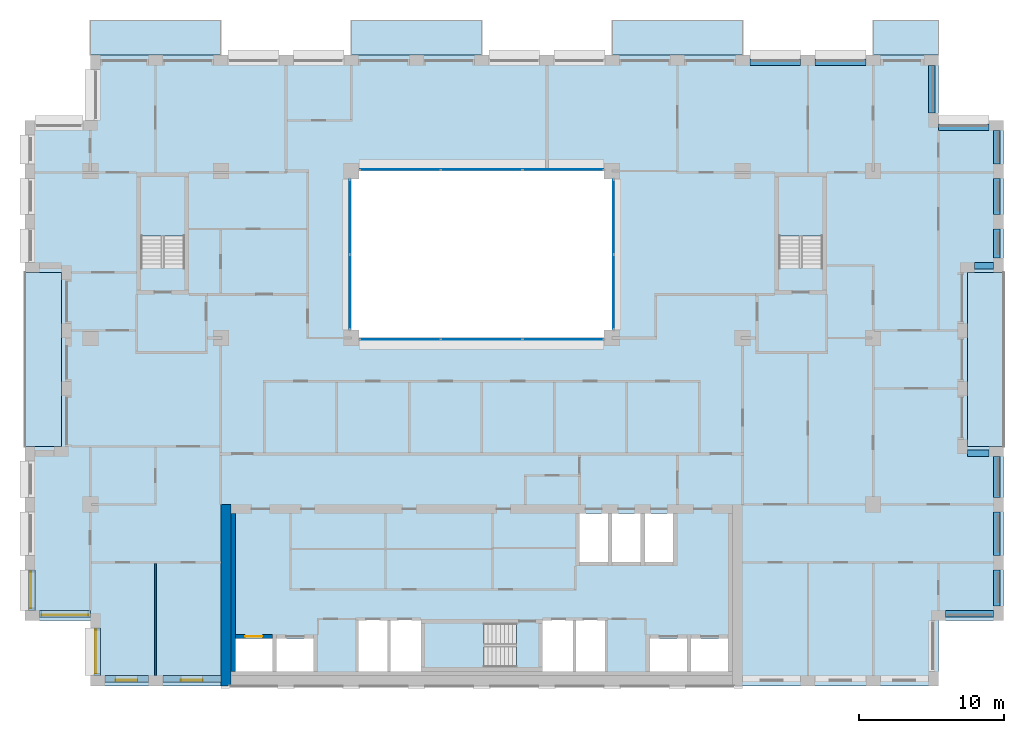
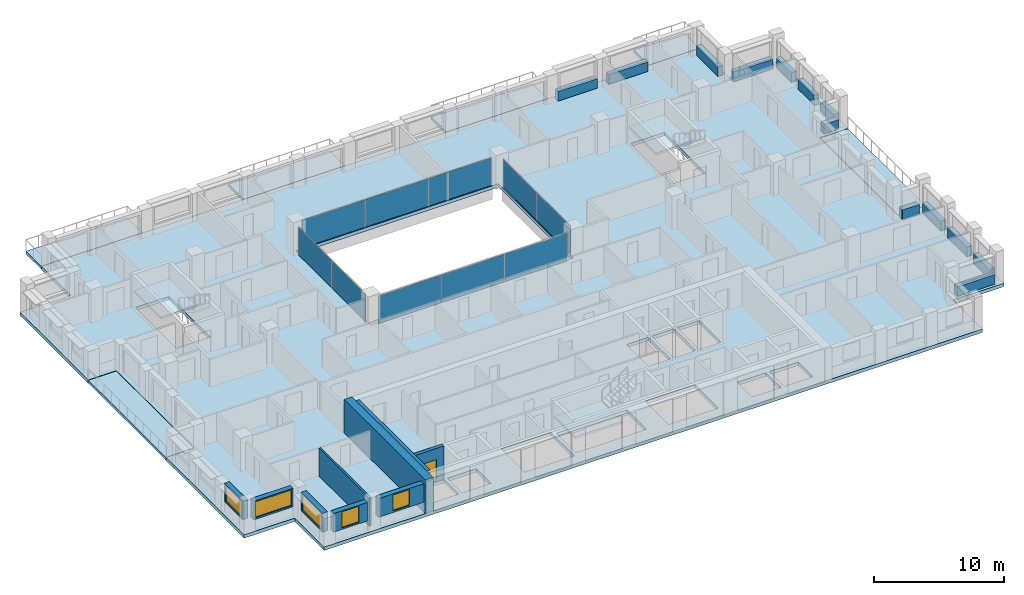
# One storey, part 7 of 16: 13 beams, 10 plates, 10 slabs, 9 walls, 5 windows, 1 door, 6 openings, 7 elements without a shape of their own.
"""IFC4 building model written with IfcOpenShell, lengths in metres."""

from ifc_helpers import new_model, si_unit, direction, frame, frame_2d, origin, origin_2d, place, context, subcontext, project, spatial, polyline, rectangle, outline, extrude, material, layer, layer_set, material_profile, profile_set, type_object, element, fill, aggregate, save


model = new_model("IFC4")

# Units and contexts
model_context = context("Model", 3, precision=1e-05, world=origin(), true_north=direction((0.0, 1.0)))
body_context = subcontext(model_context, "Body", "Model", "MODEL_VIEW")
ifc_project = project(units=[si_unit("LENGTHUNIT", "METRE"), si_unit("AREAUNIT", "SQUARE_METRE"), si_unit("VOLUMEUNIT", "CUBIC_METRE"), si_unit("PLANEANGLEUNIT", "RADIAN"), si_unit("MASSUNIT", "GRAM", prefix="KILO")], contexts=[model_context])

# Site, building, storey
site_placement = place(None, origin())
site = spatial("IfcSite", under=ifc_project, at=site_placement, CompositionType="ELEMENT")
building_placement = place(site_placement, origin())
building = spatial("IfcBuilding", under=site, at=building_placement, Name="Brigalow Station Residences", CompositionType="ELEMENT")
storey_placement = place(building_placement, frame((0.0, 0.0, 182.25)))
storey = spatial("IfcBuildingStorey", under=building, at=storey_placement, Name="L53", CompositionType="ELEMENT", Elevation=182.25)

# Beams
ifc_material_1 = material(Name="Concrete C50", Category="concrete")
ifc_material_profile = material_profile(ifc_material_1, rectangle(XDim=0.449951171875, YDim=0.89990234375, at=origin_2d()), Name="RC450x900")
ifc_profile_set = profile_set([ifc_material_profile], Name="Concrete C50")
beam_type = type_object("IfcBeamType", Name="SPANDREL BEAM 450x900 C50", PredefinedType="SPANDREL", material=ifc_profile_set)
beam_1_placement = place(storey_placement, frame((68.0, 4.97509765625, 0.449951171875), z_axis=(1.0, 0.0, 0.0), x_axis=(0.0, 1.0, 0.0)))
element("IfcBeam", 1, at=beam_1_placement, inside=storey, type_object=beam_type, Name="L53/spandrel/W-L53-8", PredefinedType="SPANDREL", context=body_context, shape_type="SweptSolid", body=[
    extrude(rectangle(XDim=0.449951171875, YDim=0.89990234375, at=origin_2d()), origin(), (0.0, 0.0, 1.0), 3.300048828125),
])
beam_2_placement = place(storey_placement, frame((71.52490234375, 5.5, 0.449951171875), z_axis=(0.0, 1.0, 0.0), x_axis=(-1.0, 0.0, 0.0)))
element("IfcBeam", 2, at=beam_2_placement, inside=storey, type_object=beam_type, Name="L53/spandrel/W-L53-9", PredefinedType="SPANDREL", context=body_context, shape_type="SweptSolid", body=[
    extrude(rectangle(XDim=0.449951171875, YDim=0.89990234375, at=origin_2d()), origin(), (0.0, 0.0, 1.0), 2.5),
])
beam_3_placement = place(storey_placement, frame((71.52490234375, 9.0, 0.449951171875), z_axis=(0.0, 1.0, 0.0), x_axis=(-1.0, 0.0, 0.0)))
element("IfcBeam", 3, at=beam_3_placement, inside=storey, type_object=beam_type, Name="L53/spandrel/W-L53-10", PredefinedType="SPANDREL", context=body_context, shape_type="SweptSolid", body=[
    extrude(rectangle(XDim=0.449951171875, YDim=0.89990234375, at=origin_2d()), origin(), (0.0, 0.0, 1.0), 3.0),
])
beam_4_placement = place(storey_placement, frame((71.52490234375, 13.0, 0.449951171875), z_axis=(0.0, 1.0, 0.0), x_axis=(-1.0, 0.0, 0.0)))
element("IfcBeam", 4, at=beam_4_placement, inside=storey, type_object=beam_type, Name="L53/spandrel/W-L53-11", PredefinedType="SPANDREL", context=body_context, shape_type="SweptSolid", body=[
    extrude(rectangle(XDim=0.449951171875, YDim=0.89990234375, at=origin_2d()), origin(), (0.0, 0.0, 1.0), 2.800048828125),
])
beam_5_placement = place(storey_placement, frame((71.0, 16.02490234375, 0.449951171875), z_axis=(-1.0, 0.0, 0.0), x_axis=(0.0, -1.0, 0.0)))
element("IfcBeam", 5, at=beam_5_placement, inside=storey, type_object=beam_type, Name="L53/spandrel/W-L53-12", PredefinedType="SPANDREL", context=body_context, shape_type="SweptSolid", body=[
    extrude(rectangle(XDim=0.449951171875, YDim=0.89990234375, at=origin_2d()), origin(), (0.0, 0.0, 1.0), 1.5),
])
beam_6_placement = place(storey_placement, frame((70.0, 28.97509765625, 0.449951171875), z_axis=(1.0, 0.0, 0.0), x_axis=(0.0, 1.0, 0.0)))
element("IfcBeam", 6, at=beam_6_placement, inside=storey, type_object=beam_type, Name="L53/spandrel/W-L53-16", PredefinedType="SPANDREL", context=body_context, shape_type="SweptSolid", body=[
    extrude(rectangle(XDim=0.449951171875, YDim=0.89990234375, at=origin_2d()), origin(), (0.0, 0.0, 1.0), 1.300048828125),
])
beam_7_placement = place(storey_placement, frame((71.52490234375, 29.5, 0.449951171875), z_axis=(0.0, 1.0, 0.0), x_axis=(-1.0, 0.0, 0.0)))
element("IfcBeam", 7, at=beam_7_placement, inside=storey, type_object=beam_type, Name="L53/spandrel/W-L53-17", PredefinedType="SPANDREL", context=body_context, shape_type="SweptSolid", body=[
    extrude(rectangle(XDim=0.449951171875, YDim=0.89990234375, at=origin_2d()), origin(), (0.0, 0.0, 1.0), 2.0),
])
beam_8_placement = place(storey_placement, frame((71.52490234375, 32.5, 0.449951171875), z_axis=(0.0, 1.0, 0.0), x_axis=(-1.0, 0.0, 0.0)))
element("IfcBeam", 8, at=beam_8_placement, inside=storey, type_object=beam_type, Name="L53/spandrel/W-L53-18", PredefinedType="SPANDREL", context=body_context, shape_type="SweptSolid", body=[
    extrude(rectangle(XDim=0.449951171875, YDim=0.89990234375, at=origin_2d()), origin(), (0.0, 0.0, 1.0), 2.5),
])
beam_9_placement = place(storey_placement, frame((71.52490234375, 36.0, 0.449951171875), z_axis=(0.0, 1.0, 0.0), x_axis=(-1.0, 0.0, 0.0)))
element("IfcBeam", 9, at=beam_9_placement, inside=storey, type_object=beam_type, Name="L53/spandrel/W-L53-19", PredefinedType="SPANDREL", context=body_context, shape_type="SweptSolid", body=[
    extrude(rectangle(XDim=0.449951171875, YDim=0.89990234375, at=origin_2d()), origin(), (0.0, 0.0, 1.0), 2.300048828125),
])
beam_10_placement = place(storey_placement, frame((71.0, 38.52490234375, 0.449951171875), z_axis=(-1.0, 0.0, 0.0), x_axis=(0.0, -1.0, 0.0)))
element("IfcBeam", 10, at=beam_10_placement, inside=storey, type_object=beam_type, Name="L53/spandrel/W-L53-20", PredefinedType="SPANDREL", context=body_context, shape_type="SweptSolid", body=[
    extrude(rectangle(XDim=0.449951171875, YDim=0.89990234375, at=origin_2d()), origin(), (0.0, 0.0, 1.0), 3.5),
])
beam_11_placement = place(storey_placement, frame((67.02490234375, 39.5, 0.449951171875), z_axis=(0.0, 1.0, 0.0), x_axis=(-1.0, 0.0, 0.0)))
element("IfcBeam", 11, at=beam_11_placement, inside=storey, type_object=beam_type, Name="L53/spandrel/W-L53-21", PredefinedType="SPANDREL", context=body_context, shape_type="SweptSolid", body=[
    extrude(rectangle(XDim=0.449951171875, YDim=0.89990234375, at=origin_2d()), origin(), (0.0, 0.0, 1.0), 3.300048828125),
])
for number, where, z_axis, x_axis, name in (
    (12, (62.5, 43.02490234375, 0.449951171875), (-1.0, 0.0, 0.0), (0.0, -1.0, 0.0), "L53/spandrel/W-L53-23"),
    (13, (58.0, 43.02490234375, 0.449951171875), (-1.0, 0.0, 0.0), (0.0, -1.0, 0.0), "L53/spandrel/W-L53-24"),
):
    element("IfcBeam", number, at=place(storey_placement, frame(where, z_axis=z_axis, x_axis=x_axis)), inside=storey, type_object=beam_type, Name=name, PredefinedType="SPANDREL", context=body_context, shape_type="SweptSolid", body=[
        extrude(rectangle(XDim=0.449951171875, YDim=0.89990234375, at=origin_2d()), origin(), (0.0, 0.0, 1.0), 3.5),
    ])

# Curtain wall, plates
ifc_material_2 = material(Name="Aluminium", Category="aluminium")
ifc_layer_1 = layer(ifc_material_2, 0.14990234375)
ifc_layer_set_1 = layer_set([ifc_layer_1], Name="ATRIUM FIRE-RATED GLAZING CURTAIN WALL")
curtain_wall_type = type_object("IfcCurtainWallType", Name="ATRIUM FIRE-RATED GLAZING CURTAIN WALL", PredefinedType="NOTDEFINED", material=ifc_layer_set_1)
curtain_wall_1_placement = place(storey_placement, origin())
curtain_wall_1 = element("IfcCurtainWall", 14, at=curtain_wall_1_placement, inside=storey, type_object=curtain_wall_type, Name="L53/cw/atrium-S", PredefinedType="NOTDEFINED")
ifc_material_3 = material(Name="Fire-resisting laminated glazing, FRL -/60/-", Category="glass")
ifc_layer_2 = layer(ifc_material_3, 0.031982421875)
ifc_layer_set_2 = layer_set([ifc_layer_2], Name="ATRIUM FIRE-RATED GLAZING PANEL 32")
plate_type = type_object("IfcPlateType", Name="ATRIUM FIRE-RATED GLAZING PANEL 32", PredefinedType="CURTAIN_PANEL", material=ifc_layer_set_2)
plate_1_placement = place(storey_placement, frame((30.381591796875, 23.89990234375, 0.0), z_axis=(0.0, 0.0, 1.0), x_axis=(1.0, 0.0, 0.0)))
plate_1 = element("IfcPlate", 15, at=plate_1_placement, type_object=plate_type, Name="L53/cw/atrium-S/P00-00", PredefinedType="CURTAIN_PANEL", context=body_context, shape_type="SweptSolid", body=[
    extrude(rectangle(XDim=5.543212890625, YDim=0.031982421875, at=origin_2d()), origin(), (0.0, 0.0, 1.0), 2.590087890625),
])
plate_2_placement = place(storey_placement, frame((36.0, 23.89990234375, 0.0), z_axis=(0.0, 0.0, 1.0), x_axis=(1.0, 0.0, 0.0)))
plate_2 = element("IfcPlate", 16, at=plate_2_placement, type_object=plate_type, Name="L53/cw/atrium-S/P01-00", PredefinedType="CURTAIN_PANEL", context=body_context, shape_type="SweptSolid", body=[
    extrude(rectangle(XDim=5.5732421875, YDim=0.031982421875, at=origin_2d()), origin(), (0.0, 0.0, 1.0), 2.590087890625),
])
plate_3_placement = place(storey_placement, frame((41.618408203125, 23.89990234375, 0.0), z_axis=(0.0, 0.0, 1.0), x_axis=(1.0, 0.0, 0.0)))
plate_3 = element("IfcPlate", 17, at=plate_3_placement, type_object=plate_type, Name="L53/cw/atrium-S/P02-00", PredefinedType="CURTAIN_PANEL", context=body_context, shape_type="SweptSolid", body=[
    extrude(rectangle(XDim=5.543212890625, YDim=0.031982421875, at=origin_2d()), origin(), (0.0, 0.0, 1.0), 2.590087890625),
])
aggregate(curtain_wall_1, [plate_1, plate_2, plate_3])

curtain_wall_2_placement = place(storey_placement, origin())
curtain_wall_2 = element("IfcCurtainWall", 18, at=curtain_wall_2_placement, inside=storey, type_object=curtain_wall_type, Name="L53/cw/atrium-E", PredefinedType="NOTDEFINED")
plate_4_placement = place(storey_placement, frame((45.10009765625, 27.1650390625, 0.0), z_axis=(0.0, 0.0, 1.0), x_axis=(0.0, 1.0, 0.0)))
plate_4 = element("IfcPlate", 19, at=plate_4_placement, type_object=plate_type, Name="L53/cw/atrium-E/P00-00", PredefinedType="CURTAIN_PANEL", context=body_context, shape_type="SweptSolid", body=[
    extrude(rectangle(XDim=5.110107421875, YDim=0.031982421875, at=origin_2d()), origin(), (0.0, 0.0, 1.0), 2.590087890625),
])
plate_5_placement = place(storey_placement, frame((45.10009765625, 32.3349609375, 0.0), z_axis=(0.0, 0.0, 1.0), x_axis=(0.0, 1.0, 0.0)))
plate_5 = element("IfcPlate", 20, at=plate_5_placement, type_object=plate_type, Name="L53/cw/atrium-E/P01-00", PredefinedType="CURTAIN_PANEL", context=body_context, shape_type="SweptSolid", body=[
    extrude(rectangle(XDim=5.110107421875, YDim=0.031982421875, at=origin_2d()), origin(), (0.0, 0.0, 1.0), 2.590087890625),
])
aggregate(curtain_wall_2, [plate_4, plate_5])

curtain_wall_3_placement = place(storey_placement, origin())
curtain_wall_3 = element("IfcCurtainWall", 21, at=curtain_wall_3_placement, inside=storey, type_object=curtain_wall_type, Name="L53/cw/atrium-N", PredefinedType="NOTDEFINED")
plate_6_placement = place(storey_placement, frame((41.618408203125, 35.60009765625, 0.0), z_axis=(0.0, 0.0, 1.0), x_axis=(-1.0, 0.0, 0.0)))
plate_6 = element("IfcPlate", 22, at=plate_6_placement, type_object=plate_type, Name="L53/cw/atrium-N/P00-00", PredefinedType="CURTAIN_PANEL", context=body_context, shape_type="SweptSolid", body=[
    extrude(rectangle(XDim=5.543212890625, YDim=0.031982421875, at=origin_2d()), origin(), (0.0, 0.0, 1.0), 2.590087890625),
])
plate_7_placement = place(storey_placement, frame((36.0, 35.60009765625, 0.0), z_axis=(0.0, 0.0, 1.0), x_axis=(-1.0, 0.0, 0.0)))
plate_7 = element("IfcPlate", 23, at=plate_7_placement, type_object=plate_type, Name="L53/cw/atrium-N/P01-00", PredefinedType="CURTAIN_PANEL", context=body_context, shape_type="SweptSolid", body=[
    extrude(rectangle(XDim=5.5732421875, YDim=0.031982421875, at=origin_2d()), origin(), (0.0, 0.0, 1.0), 2.590087890625),
])
plate_8_placement = place(storey_placement, frame((30.381591796875, 35.60009765625, 0.0), z_axis=(0.0, 0.0, 1.0), x_axis=(-1.0, 0.0, 0.0)))
plate_8 = element("IfcPlate", 24, at=plate_8_placement, type_object=plate_type, Name="L53/cw/atrium-N/P02-00", PredefinedType="CURTAIN_PANEL", context=body_context, shape_type="SweptSolid", body=[
    extrude(rectangle(XDim=5.543212890625, YDim=0.031982421875, at=origin_2d()), origin(), (0.0, 0.0, 1.0), 2.590087890625),
])
aggregate(curtain_wall_3, [plate_6, plate_7, plate_8])

curtain_wall_4_placement = place(storey_placement, origin())
curtain_wall_4 = element("IfcCurtainWall", 25, at=curtain_wall_4_placement, inside=storey, type_object=curtain_wall_type, Name="L53/cw/atrium-W", PredefinedType="NOTDEFINED")
plate_9_placement = place(storey_placement, frame((26.89990234375, 32.3349609375, 0.0), z_axis=(0.0, 0.0, 1.0), x_axis=(0.0, -1.0, 0.0)))
plate_9 = element("IfcPlate", 26, at=plate_9_placement, type_object=plate_type, Name="L53/cw/atrium-W/P00-00", PredefinedType="CURTAIN_PANEL", context=body_context, shape_type="SweptSolid", body=[
    extrude(rectangle(XDim=5.110107421875, YDim=0.031982421875, at=origin_2d()), origin(), (0.0, 0.0, 1.0), 2.590087890625),
])
plate_10_placement = place(storey_placement, frame((26.89990234375, 27.1650390625, 0.0), z_axis=(0.0, 0.0, 1.0), x_axis=(0.0, -1.0, 0.0)))
plate_10 = element("IfcPlate", 27, at=plate_10_placement, type_object=plate_type, Name="L53/cw/atrium-W/P01-00", PredefinedType="CURTAIN_PANEL", context=body_context, shape_type="SweptSolid", body=[
    extrude(rectangle(XDim=5.110107421875, YDim=0.031982421875, at=origin_2d()), origin(), (0.0, 0.0, 1.0), 2.590087890625),
])
aggregate(curtain_wall_4, [plate_9, plate_10])

# Slabs
ifc_material_4 = material(Name="Concrete C50 precast", Category="concrete")
ifc_layer_3 = layer(ifc_material_4, 0.25)
ifc_layer_set_3 = layer_set([ifc_layer_3], Name="BALCONY SLAB 250")
slab_type_1 = type_object("IfcSlabType", Name="BALCONY SLAB 250", PredefinedType="USERDEFINED", material=ifc_layer_set_3)
slab_1_placement = place(storey_placement, frame((0.0, 0.0, -0.2900390625)))
element("IfcSlab", 28, at=slab_1_placement, inside=storey, type_object=slab_type_1, Name="L53/balcony/1", ObjectType="BALCONY", PredefinedType="USERDEFINED", context=body_context, shape_type="SweptSolid", body=[
    extrude(outline(polyline([(69.5, 16.5), (72.0, 16.5), (72.0, 28.5), (69.5, 28.5), (69.5, 16.5)])), origin(), (0.0, 0.0, 1.0), 0.25),
])
slab_2_placement = place(storey_placement, frame((0.0, 0.0, -0.2900390625)))
element("IfcSlab", 29, at=slab_2_placement, inside=storey, type_object=slab_type_1, Name="L53/balcony/2", ObjectType="BALCONY", PredefinedType="USERDEFINED", context=body_context, shape_type="SweptSolid", body=[
    extrude(outline(polyline([(67.5, 43.5), (67.5, 45.89990234375), (63.0, 45.89990234375), (63.0, 43.5), (67.5, 43.5)])), origin(), (0.0, 0.0, 1.0), 0.25),
])
slab_3_placement = place(storey_placement, frame((0.0, 0.0, -0.2900390625)))
element("IfcSlab", 30, at=slab_3_placement, inside=storey, type_object=slab_type_1, Name="L53/balcony/3", ObjectType="BALCONY", PredefinedType="USERDEFINED", context=body_context, shape_type="SweptSolid", body=[
    extrude(outline(polyline([(54.0, 43.5), (54.0, 45.89990234375), (45.0, 45.89990234375), (45.0, 43.5), (54.0, 43.5)])), origin(), (0.0, 0.0, 1.0), 0.25),
])
slab_4_placement = place(storey_placement, frame((0.0, 0.0, -0.2900390625)))
element("IfcSlab", 31, at=slab_4_placement, inside=storey, type_object=slab_type_1, Name="L53/balcony/4", ObjectType="BALCONY", PredefinedType="USERDEFINED", context=body_context, shape_type="SweptSolid", body=[
    extrude(outline(polyline([(36.0, 43.5), (36.0, 45.89990234375), (27.0, 45.89990234375), (27.0, 43.5), (36.0, 43.5)])), origin(), (0.0, 0.0, 1.0), 0.25),
])
slab_5_placement = place(storey_placement, frame((0.0, 0.0, -0.2900390625)))
element("IfcSlab", 32, at=slab_5_placement, inside=storey, type_object=slab_type_1, Name="L53/balcony/5", ObjectType="BALCONY", PredefinedType="USERDEFINED", context=body_context, shape_type="SweptSolid", body=[
    extrude(outline(polyline([(18.0, 43.5), (18.0, 45.89990234375), (9.0, 45.89990234375), (9.0, 43.5), (18.0, 43.5)])), origin(), (0.0, 0.0, 1.0), 0.25),
])
slab_6_placement = place(storey_placement, frame((0.0, 0.0, -0.2900390625)))
element("IfcSlab", 33, at=slab_6_placement, inside=storey, type_object=slab_type_1, Name="L53/balcony/6", ObjectType="BALCONY", PredefinedType="USERDEFINED", context=body_context, shape_type="SweptSolid", body=[
    extrude(outline(polyline([(7.0, 28.5), (4.5, 28.5), (4.5, 16.5), (7.0, 16.5), (7.0, 28.5)])), origin(), (0.0, 0.0, 1.0), 0.25),
])
ifc_material_5 = material(Name="Concrete C50", Category="concrete")
ifc_layer_4 = layer(ifc_material_5, 0.320068359375)
ifc_layer_set_4 = layer_set([ifc_layer_4], Name="POST-TENSIONED FLAT PLATE 320 C50")
slab_type_2 = type_object("IfcSlabType", Name="POST-TENSIONED FLAT PLATE 320 C50", PredefinedType="FLOOR", material=ifc_layer_set_4)
slab_7_placement = place(storey_placement, frame((0.0, 0.0, -0.320068359375)))
element("IfcSlab", 34, at=slab_7_placement, inside=storey, type_object=slab_type_2, Name="FLOOR SLAB L53", PredefinedType="FLOOR", context=body_context, shape_type="SweptSolid", body=[
    extrude(outline(polyline([(9.0, 0.0), (67.5, 0.0), (67.5, 4.5), (72.0, 4.5), (72.0, 16.5), (69.5, 16.5), (69.5, 28.5), (72.0, 28.5), (72.0, 39.0), (67.5, 39.0), (67.5, 43.5), (9.0, 43.5), (9.0, 39.0), (4.5, 39.0), (4.5, 28.5), (7.0, 28.5), (7.0, 16.5), (4.5, 16.5), (4.5, 4.5), (9.0, 4.5), (9.0, 0.0)]), holes=[polyline([(12.5048828125, 35.094970703125), (15.4951171875, 35.094970703125), (15.4951171875, 28.804931640625), (12.5048828125, 28.804931640625), (12.5048828125, 35.094970703125)]), polyline([(19.0, 1.0), (19.0, 3.25), (21.550048828125, 3.25), (21.550048828125, 1.0), (19.0, 1.0)]), polyline([(21.85009765625, 3.25), (24.39990234375, 3.25), (24.39990234375, 1.0), (21.85009765625, 1.0), (21.85009765625, 3.25)]), polyline([(27.0, 35.5), (45.0, 35.5), (45.0, 24.0), (27.0, 24.0), (27.0, 35.5)]), polyline([(29.60009765625, 4.60009765625), (31.800048828125, 4.60009765625), (31.800048828125, 1.0), (29.60009765625, 1.0), (27.39990234375, 1.0), (27.39990234375, 4.60009765625), (29.60009765625, 4.60009765625)]), polyline([(32.10498046875, 4.294921875), (38.39501953125, 4.294921875), (38.39501953125, 1.304931640625), (32.10498046875, 1.304931640625), (32.10498046875, 4.294921875)]), polyline([(40.199951171875, 4.60009765625), (42.39990234375, 4.60009765625), (44.60009765625, 4.60009765625), (44.60009765625, 1.0), (42.39990234375, 1.0), (40.199951171875, 1.0), (40.199951171875, 4.60009765625)]), polyline([(42.75, 11.89990234375), (44.699951171875, 11.89990234375), (44.699951171875, 8.550048828125), (42.75, 8.550048828125), (42.75, 11.89990234375)]), polyline([(45.0, 11.89990234375), (46.949951171875, 11.89990234375), (46.949951171875, 8.550048828125), (45.0, 8.550048828125), (45.0, 11.89990234375)]), polyline([(47.25, 11.89990234375), (49.199951171875, 11.89990234375), (49.199951171875, 8.550048828125), (47.25, 8.550048828125), (47.25, 11.89990234375)]), polyline([(47.60009765625, 3.25), (50.14990234375, 3.25), (50.14990234375, 1.0), (47.60009765625, 1.0), (47.60009765625, 3.25)]), polyline([(50.449951171875, 3.25), (53.0, 3.25), (53.0, 1.0), (50.449951171875, 1.0), (50.449951171875, 3.25)]), polyline([(56.5048828125, 35.094970703125), (59.4951171875, 35.094970703125), (59.4951171875, 28.804931640625), (56.5048828125, 28.804931640625), (56.5048828125, 35.094970703125)])]), origin(), (0.0, 0.0, 1.0), 0.320068359375),
])

# Stair, slab
ifc_material_6 = material(Name="Concrete C50", Category="concrete")
stair_type = type_object("IfcStairType", Name="EXIT STAIR 1400 2 FLIGHT", PredefinedType="HALF_TURN_STAIR", material=ifc_material_6)
stair_1_placement = place(storey_placement, origin())
stair_1 = element("IfcStair", 35, at=stair_1_placement, inside=storey, type_object=stair_type, Name="EXIT STAIR S2 L53", PredefinedType="HALF_TURN_STAIR")
ifc_material_7 = material(Name="Concrete C50", Category="concrete")
ifc_layer_5 = layer(ifc_material_7, 0.199951171875)
ifc_layer_set_5 = layer_set([ifc_layer_5], Name="STAIR LANDING 200")
slab_type_3 = type_object("IfcSlabType", Name="STAIR LANDING 200", PredefinedType="LANDING", material=ifc_layer_set_5)
slab_8_placement = place(storey_placement, frame((0.0, 0.0, 1.375)))
slab_8 = element("IfcSlab", 36, at=slab_8_placement, type_object=slab_type_3, Name="ST-2 landing 1", PredefinedType="LANDING", context=body_context, shape_type="SweptSolid", body=[
    extrude(outline(polyline([(32.0, 1.199951171875), (36.159912109375, 1.199951171875), (36.159912109375, 4.39990234375), (32.0, 4.39990234375), (32.0, 1.199951171875)])), origin(), (0.0, 0.0, 1.0), 0.199951171875),
])
aggregate(stair_1, [slab_8])

stair_2_placement = place(storey_placement, origin())
stair_2 = element("IfcStair", 37, at=stair_2_placement, inside=storey, type_object=stair_type, Name="EXIT STAIR S1 L53", PredefinedType="HALF_TURN_STAIR")
slab_9_placement = place(storey_placement, frame((0.0, 0.0, 1.375)))
slab_9 = element("IfcSlab", 38, at=slab_9_placement, type_object=slab_type_3, Name="ST-1 landing 1", PredefinedType="LANDING", context=body_context, shape_type="SweptSolid", body=[
    extrude(outline(polyline([(12.39990234375, 31.0400390625), (15.60009765625, 31.0400390625), (15.60009765625, 35.199951171875), (12.39990234375, 35.199951171875), (12.39990234375, 31.0400390625)])), origin(), (0.0, 0.0, 1.0), 0.199951171875),
])
aggregate(stair_2, [slab_9])

stair_3_placement = place(storey_placement, origin())
stair_3 = element("IfcStair", 39, at=stair_3_placement, inside=storey, type_object=stair_type, Name="EXIT STAIR S3 L53", PredefinedType="HALF_TURN_STAIR")
slab_10_placement = place(storey_placement, frame((0.0, 0.0, 1.375)))
slab_10 = element("IfcSlab", 40, at=slab_10_placement, type_object=slab_type_3, Name="ST-3 landing 1", PredefinedType="LANDING", context=body_context, shape_type="SweptSolid", body=[
    extrude(outline(polyline([(56.39990234375, 31.0400390625), (59.60009765625, 31.0400390625), (59.60009765625, 35.199951171875), (56.39990234375, 35.199951171875), (56.39990234375, 31.0400390625)])), origin(), (0.0, 0.0, 1.0), 0.199951171875),
])
aggregate(stair_3, [slab_10])

# Wall, opening, window
ifc_material_8 = material(Name="Clay brick masonry", Category="masonry")
ifc_layer_6 = layer(ifc_material_8, 0.449951171875)
ifc_layer_set_6 = layer_set([ifc_layer_6], Name="BRICK INFILL WALL 450")
wall_type_1 = type_object("IfcWallType", Name="BRICK INFILL WALL 450", PredefinedType="SOLIDWALL", material=ifc_layer_set_6)
wall_1_placement = place(storey_placement, frame((10.0, 0.47509765625, 0.89990234375), z_axis=(0.0, 0.0, 1.0), x_axis=(1.0, 0.0, 0.0)))
wall_1 = element("IfcWall", 41, at=wall_1_placement, inside=storey, type_object=wall_type_1, Name="L53/ewall/W-L53-1", PredefinedType="SOLIDWALL", context=body_context, shape_type="SweptSolid", body=[
    extrude(rectangle(XDim=3.0, YDim=0.449951171875, at=frame_2d((1.5, 0.0))), origin(), (0.0, 0.0, 1.0), 1.75),
])
opening_1_placement = place(wall_1_placement, frame((0.75, 0.0, 0.14990234375)))
opening_1 = element("IfcOpeningElement", 42, at=opening_1_placement, cuts=wall_1, Name="Opening WT-1", PredefinedType="OPENING", context=body_context, shape_type="SweptSolid", body=[
    extrude(rectangle(XDim=1.5, YDim=1.5, at=frame_2d((0.75, 0.75))), frame((0.0, 0.23486328125, 0.0), z_axis=(0.0, -1.0, 0.0), x_axis=(1.0, 0.0, 0.0)), (0.0, 0.0, 1.0), 0.469970703125),
])
ifc_material_9 = material(Name="Anodised aluminium frame with double glazing", Category="aluminium")
window_type_1 = type_object("IfcWindowType", Name="WINDOW 1500x1500", PartitioningType="SINGLE_PANEL", PredefinedType="WINDOW", material=ifc_material_9)
window_1_placement = place(opening_1_placement, origin())
window_1 = element("IfcWindow", 43, at=window_1_placement, inside=storey, type_object=window_type_1, Name="L53/window/W-L53-1", OverallHeight=1.5, OverallWidth=1.5, PartitioningType="SINGLE_PANEL", PredefinedType="WINDOW", context=body_context, shape_type="SweptSolid", body=[
    extrude(rectangle(XDim=1.5, YDim=1.5, at=frame_2d((0.75, 0.75))), frame((0.0, -0.06494140625, 0.0), z_axis=(0.0, -1.0, 0.0), x_axis=(1.0, 0.0, 0.0)), (0.0, 0.0, 1.0), 0.06005859375),
])
fill(opening_1, window_1)

wall_2_placement = place(storey_placement, frame((14.0, 0.47509765625, 0.89990234375), z_axis=(0.0, 0.0, 1.0), x_axis=(1.0, 0.0, 0.0)))
wall_2 = element("IfcWall", 44, at=wall_2_placement, inside=storey, type_object=wall_type_1, Name="L53/ewall/W-L53-2", PredefinedType="SOLIDWALL", context=body_context, shape_type="SweptSolid", body=[
    extrude(rectangle(XDim=4.0, YDim=0.449951171875, at=frame_2d((2.0, 0.0))), origin(), (0.0, 0.0, 1.0), 1.75),
])
opening_2_placement = place(wall_2_placement, frame((1.25, 0.0, 0.14990234375)))
opening_2 = element("IfcOpeningElement", 45, at=opening_2_placement, cuts=wall_2, Name="Opening WT-1", PredefinedType="OPENING", context=body_context, shape_type="SweptSolid", body=[
    extrude(rectangle(XDim=1.5, YDim=1.5, at=frame_2d((0.75, 0.75))), frame((0.0, 0.23486328125, 0.0), z_axis=(0.0, -1.0, 0.0), x_axis=(1.0, 0.0, 0.0)), (0.0, 0.0, 1.0), 0.469970703125),
])
window_2_placement = place(opening_2_placement, origin())
window_2 = element("IfcWindow", 46, at=window_2_placement, inside=storey, type_object=window_type_1, Name="L53/window/W-L53-2", OverallHeight=1.5, OverallWidth=1.5, PartitioningType="SINGLE_PANEL", PredefinedType="WINDOW", context=body_context, shape_type="SweptSolid", body=[
    extrude(rectangle(XDim=1.5, YDim=1.5, at=frame_2d((0.75, 0.75))), frame((0.0, -0.06494140625, 0.0), z_axis=(0.0, -1.0, 0.0), x_axis=(1.0, 0.0, 0.0)), (0.0, 0.0, 1.0), 0.06005859375),
])
fill(opening_2, window_2)

wall_3_placement = place(storey_placement, frame((4.97509765625, 8.0, 0.89990234375), z_axis=(0.0, 0.0, 1.0), x_axis=(0.0, -1.0, 0.0)))
wall_3 = element("IfcWall", 47, at=wall_3_placement, inside=storey, type_object=wall_type_1, Name="L53/ewall/W-L53-47", PredefinedType="SOLIDWALL", context=body_context, shape_type="SweptSolid", body=[
    extrude(rectangle(XDim=2.800048828125, YDim=0.449951171875, at=frame_2d((1.39990234375, 0.0))), origin(), (0.0, 0.0, 1.0), 1.75),
])
opening_3_placement = place(wall_3_placement, frame((0.14990234375, 0.0, 0.14990234375)))
opening_3 = element("IfcOpeningElement", 48, at=opening_3_placement, cuts=wall_3, Name="Opening WT-5", PredefinedType="OPENING", context=body_context, shape_type="SweptSolid", body=[
    extrude(rectangle(XDim=2.5, YDim=1.5, at=frame_2d((1.25, 0.75))), frame((0.0, 0.23486328125, 0.0), z_axis=(0.0, -1.0, 0.0), x_axis=(1.0, 0.0, 0.0)), (0.0, 0.0, 1.0), 0.469970703125),
])
ifc_material_10 = material(Name="Anodised aluminium frame with double glazing", Category="aluminium")
window_type_2 = type_object("IfcWindowType", Name="WINDOW 2500x1500", PartitioningType="SINGLE_PANEL", PredefinedType="WINDOW", material=ifc_material_10)
window_3_placement = place(opening_3_placement, origin())
window_3 = element("IfcWindow", 49, at=window_3_placement, inside=storey, type_object=window_type_2, Name="L53/window/W-L53-47", OverallHeight=1.5, OverallWidth=2.5, PartitioningType="SINGLE_PANEL", PredefinedType="WINDOW", context=body_context, shape_type="SweptSolid", body=[
    extrude(rectangle(XDim=2.5, YDim=1.5, at=frame_2d((1.25, 0.75))), frame((0.0, -0.06494140625, 0.0), z_axis=(0.0, -1.0, 0.0), x_axis=(1.0, 0.0, 0.0)), (0.0, 0.0, 1.0), 0.06005859375),
])
fill(opening_3, window_3)

wall_4_placement = place(storey_placement, frame((5.5, 4.97509765625, 0.89990234375), z_axis=(0.0, 0.0, 1.0), x_axis=(1.0, 0.0, 0.0)))
wall_4 = element("IfcWall", 50, at=wall_4_placement, inside=storey, type_object=wall_type_1, Name="L53/ewall/W-L53-48", PredefinedType="SOLIDWALL", context=body_context, shape_type="SweptSolid", body=[
    extrude(rectangle(XDim=3.5, YDim=0.449951171875, at=frame_2d((1.75, 0.0))), origin(), (0.0, 0.0, 1.0), 1.75),
])
opening_4_placement = place(wall_4_placement, frame((0.14990234375, 0.0, 0.14990234375)))
opening_4 = element("IfcOpeningElement", 51, at=opening_4_placement, cuts=wall_4, Name="Opening WT-9", PredefinedType="OPENING", context=body_context, shape_type="SweptSolid", body=[
    extrude(rectangle(XDim=3.199951171875, YDim=1.5, at=frame_2d((1.60009765625, 0.75))), frame((0.0, 0.23486328125, 0.0), z_axis=(0.0, -1.0, 0.0), x_axis=(1.0, 0.0, 0.0)), (0.0, 0.0, 1.0), 0.469970703125),
])
ifc_material_11 = material(Name="Anodised aluminium frame with double glazing", Category="aluminium")
window_type_3 = type_object("IfcWindowType", Name="WINDOW 3200x1500", PartitioningType="SINGLE_PANEL", PredefinedType="WINDOW", material=ifc_material_11)
window_4_placement = place(opening_4_placement, origin())
window_4 = element("IfcWindow", 52, at=window_4_placement, inside=storey, type_object=window_type_3, Name="L53/window/W-L53-48", OverallHeight=1.5, OverallWidth=3.199951171875, PartitioningType="SINGLE_PANEL", PredefinedType="WINDOW", context=body_context, shape_type="SweptSolid", body=[
    extrude(rectangle(XDim=3.199951171875, YDim=1.5, at=frame_2d((1.60009765625, 0.75))), frame((0.0, -0.06494140625, 0.0), z_axis=(0.0, -1.0, 0.0), x_axis=(1.0, 0.0, 0.0)), (0.0, 0.0, 1.0), 0.06005859375),
])
fill(opening_4, window_4)

wall_5_placement = place(storey_placement, frame((9.47509765625, 4.0, 0.89990234375), z_axis=(0.0, 0.0, 1.0), x_axis=(0.0, -1.0, 0.0)))
wall_5 = element("IfcWall", 53, at=wall_5_placement, inside=storey, type_object=wall_type_1, Name="L53/ewall/W-L53-49", PredefinedType="SOLIDWALL", context=body_context, shape_type="SweptSolid", body=[
    extrude(rectangle(XDim=3.300048828125, YDim=0.449951171875, at=frame_2d((1.64990234375, 0.0))), origin(), (0.0, 0.0, 1.0), 1.75),
])
opening_5_placement = place(wall_5_placement, frame((0.14990234375, 0.0, 0.14990234375)))
opening_5 = element("IfcOpeningElement", 54, at=opening_5_placement, cuts=wall_5, Name="Opening WT-2", PredefinedType="OPENING", context=body_context, shape_type="SweptSolid", body=[
    extrude(rectangle(XDim=3.0, YDim=1.5, at=frame_2d((1.5, 0.75))), frame((0.0, 0.23486328125, 0.0), z_axis=(0.0, -1.0, 0.0), x_axis=(1.0, 0.0, 0.0)), (0.0, 0.0, 1.0), 0.469970703125),
])
ifc_material_12 = material(Name="Anodised aluminium frame with double glazing", Category="aluminium")
window_type_4 = type_object("IfcWindowType", Name="WINDOW 3000x1500", PartitioningType="SINGLE_PANEL", PredefinedType="WINDOW", material=ifc_material_12)
window_5_placement = place(opening_5_placement, origin())
window_5 = element("IfcWindow", 55, at=window_5_placement, inside=storey, type_object=window_type_4, Name="L53/window/W-L53-49", OverallHeight=1.5, OverallWidth=3.0, PartitioningType="SINGLE_PANEL", PredefinedType="WINDOW", context=body_context, shape_type="SweptSolid", body=[
    extrude(rectangle(XDim=3.0, YDim=1.5, at=frame_2d((1.5, 0.75))), frame((0.0, -0.06494140625, 0.0), z_axis=(0.0, -1.0, 0.0), x_axis=(1.0, 0.0, 0.0)), (0.0, 0.0, 1.0), 0.06005859375),
])
fill(opening_5, window_5)

# Wall
ifc_material_13 = material(Name="Concrete C65", Category="concrete")
ifc_layer_7 = layer(ifc_material_13, 0.300048828125)
ifc_layer_set_7 = layer_set([ifc_layer_7], Name="CORE SHEAR WALL 300 C65")
wall_type_2 = type_object("IfcWallType", Name="CORE SHEAR WALL 300 C65", PredefinedType="SHEAR", material=ifc_layer_set_7)
wall_6_placement = place(storey_placement, frame((18.85009765625, 1.0, 0.0), z_axis=(0.0, 0.0, 1.0), x_axis=(0.0, 1.0, 0.0)))
element("IfcWall", 56, at=wall_6_placement, inside=storey, type_object=wall_type_2, Name="CORE WALL LIN-W L53", PredefinedType="SHEAR", context=body_context, shape_type="SweptSolid", body=[
    extrude(rectangle(XDim=10.89990234375, YDim=0.300048828125, at=frame_2d((5.449951171875, 0.0))), origin(), (0.0, 0.0, 1.0), 3.14990234375),
])

# Wall, opening, door
wall_7_placement = place(storey_placement, frame((19.0, 3.39990234375, 0.0), z_axis=(0.0, 0.0, 1.0), x_axis=(1.0, 0.0, 0.0)))
wall_7 = element("IfcWall", 57, at=wall_7_placement, inside=storey, type_object=wall_type_2, Name="CORE WALL SH-C1-N L53", PredefinedType="SHEAR", context=body_context, shape_type="SweptSolid", body=[
    extrude(rectangle(XDim=2.550048828125, YDim=0.300048828125, at=frame_2d((1.27490234375, 0.0))), origin(), (0.0, 0.0, 1.0), 3.14990234375),
])
opening_6_placement = place(wall_7_placement, frame((0.675048828125, 0.0, 0.0)))
opening_6 = element("IfcOpeningElement", 58, at=opening_6_placement, cuts=wall_7, Name="Opening LD-LB1", PredefinedType="OPENING", context=body_context, shape_type="SweptSolid", body=[
    extrude(rectangle(XDim=1.199951171875, YDim=2.10009765625, at=frame_2d((0.60009765625, 1.050048828125))), frame((0.0, 0.16015625, 0.0), z_axis=(0.0, -1.0, 0.0), x_axis=(1.0, 0.0, 0.0)), (0.0, 0.0, 1.0), 0.320068359375),
])
ifc_material_14 = material(Name="Stainless steel sliding door leaves", Category="steel")
door_type = type_object("IfcDoorType", Name="LIFT LANDING DOOR 1200 x 2100", OperationType="DOUBLE_DOOR_SLIDING", PredefinedType="DOOR", material=ifc_material_14)
door_placement = place(opening_6_placement, origin())
door = element("IfcDoor", 59, at=door_placement, inside=storey, type_object=door_type, Name="LANDING DOOR LB1", OperationType="DOUBLE_DOOR_SLIDING", OverallHeight=2.10009765625, OverallWidth=1.199951171875, PredefinedType="DOOR", context=body_context, shape_type="SweptSolid", body=[
    extrude(rectangle(XDim=1.199951171875, YDim=2.10009765625, at=frame_2d((0.60009765625, 1.050048828125))), frame((0.0, 0.02490234375, 0.0), z_axis=(0.0, -1.0, 0.0), x_axis=(1.0, 0.0, 0.0)), (0.0, 0.0, 1.0), 0.050048828125),
])
fill(opening_6, door)

# Walls
ifc_material_15 = material(Name="Concrete C65", Category="concrete")
ifc_layer_8 = layer(ifc_material_15, 0.699951171875)
ifc_layer_set_8 = layer_set([ifc_layer_8], Name="CORE SHEAR WALL 700 C65")
wall_type_3 = type_object("IfcWallType", Name="CORE SHEAR WALL 700 C65", PredefinedType="SHEAR", material=ifc_layer_set_8)
wall_8_placement = place(storey_placement, frame((18.35009765625, 0.0, 0.0), z_axis=(0.0, 0.0, 1.0), x_axis=(0.0, 1.0, 0.0)))
element("IfcWall", 60, at=wall_8_placement, inside=storey, type_object=wall_type_3, Name="CORE WALL OUT-W L53", PredefinedType="SHEAR", context=body_context, shape_type="SweptSolid", body=[
    extrude(rectangle(XDim=12.5, YDim=0.699951171875, at=frame_2d((6.25, 0.0))), origin(), (0.0, 0.0, 1.0), 3.14990234375),
])
ifc_material_16 = material(Name="Plasterboard on steel stud partition", Category="steel")
ifc_layer_9 = layer(ifc_material_16, 0.14990234375)
ifc_layer_set_9 = layer_set([ifc_layer_9], Name="FLAT PARTITION 150")
wall_type_4 = type_object("IfcWallType", Name="FLAT PARTITION 150", PredefinedType="PARTITIONING", material=ifc_layer_set_9)
wall_9_placement = place(storey_placement, frame((13.5, 0.699951171875, 0.0), z_axis=(0.0, 0.0, 1.0), x_axis=(0.0, 1.0, 0.0)))
element("IfcWall", 61, at=wall_9_placement, inside=storey, type_object=wall_type_4, Name="PW-3F40", PredefinedType="PARTITIONING", context=body_context, shape_type="SweptSolid", body=[
    extrude(rectangle(XDim=7.72509765625, YDim=0.14990234375, at=frame_2d((3.862548828125, 0.0))), origin(), (0.0, 0.0, 1.0), 2.64990234375),
])

save(model, "model.ifc")
